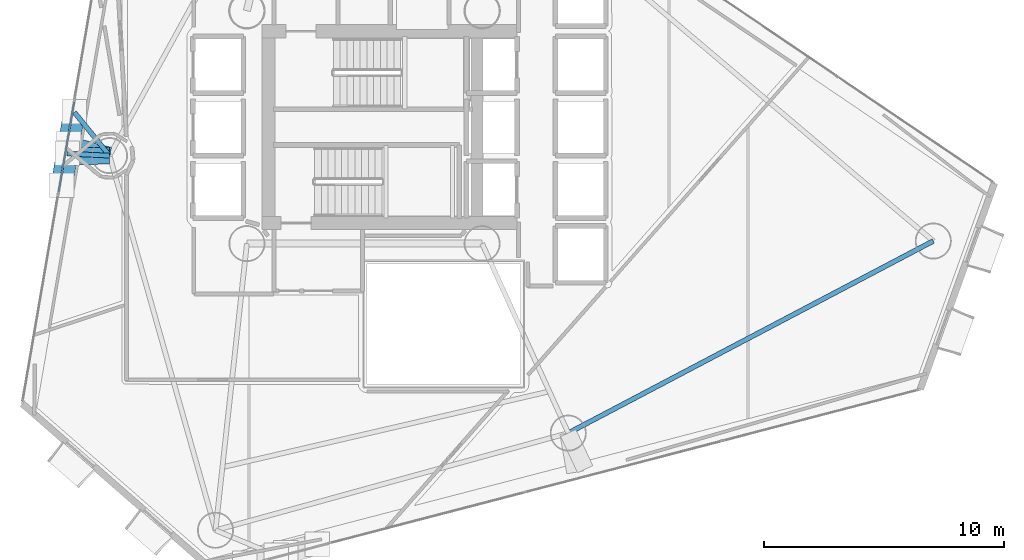
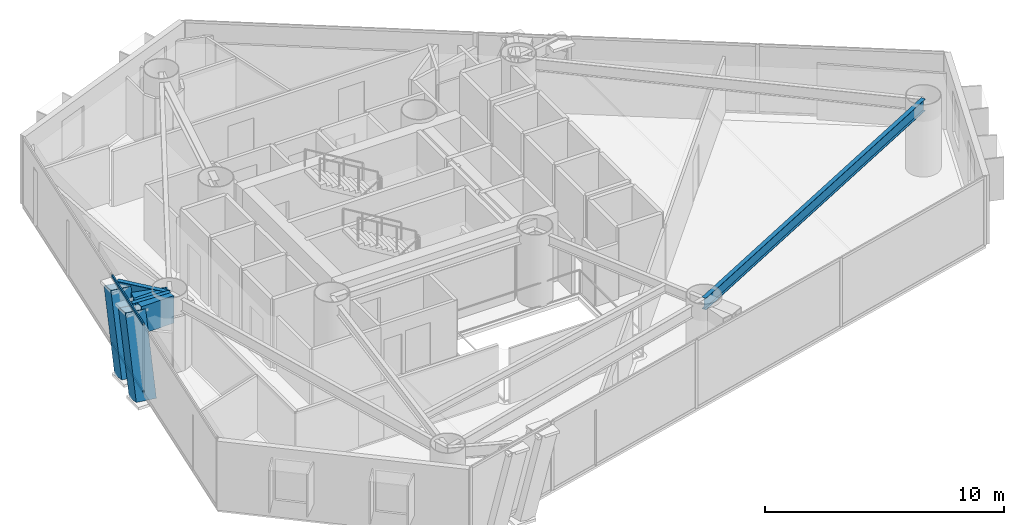
# One storey, part 7 of 21: 5 beams, 4 members, 1 element without a shape of its own.
"""IFC4 building model written with IfcOpenShell, lengths in metres."""

from ifc_helpers import new_model, si_unit, direction, frame, origin, origin_2d, place, context, subcontext, project, spatial, hollow_rectangle, i_section, extrude, material, layer, layer_set, material_profile, profile_set, type_object, element, aggregate, save


model = new_model("IFC4")

# Units and contexts
model_context = context("Model", 3, precision=1e-05, world=origin(), true_north=direction((0.0, 1.0)))
body_context = subcontext(model_context, "Body", "Model", "MODEL_VIEW")
ifc_project = project(units=[si_unit("LENGTHUNIT", "METRE"), si_unit("AREAUNIT", "SQUARE_METRE"), si_unit("VOLUMEUNIT", "CUBIC_METRE"), si_unit("PLANEANGLEUNIT", "RADIAN"), si_unit("MASSUNIT", "GRAM", prefix="KILO")], contexts=[model_context])

# Site, building, storey
site_placement = place(None, origin())
site = spatial("IfcSite", under=ifc_project, at=site_placement, CompositionType="ELEMENT")
building_placement = place(site_placement, origin())
building = spatial("IfcBuilding", under=site, at=building_placement, Name="Qianvela Tower", CompositionType="ELEMENT")
storey_placement = place(building_placement, frame((0.0, 0.0, 112.60009765625)))
storey = spatial("IfcBuildingStorey", under=building, at=storey_placement, Name="L28", CompositionType="ELEMENT", Elevation=112.60009765625)

# Beams
ifc_material_1 = material(Name="Steel Q355B", Category="steel")
ifc_material_profile_1 = material_profile(ifc_material_1, i_section(OverallWidth=0.199951171875, OverallDepth=0.60009765625, WebThickness=0.010986328125, FlangeThickness=0.01708984375, at=origin_2d()), Name="HN600x200x11x17")
ifc_profile_set_1 = profile_set([ifc_material_profile_1], Name="Steel Q355B")
beam_type_1 = type_object("IfcBeamType", Name="BM-HN600-GIRD", PredefinedType="BEAM", material=ifc_profile_set_1)
beam_1_placement = place(storey_placement, frame((22.8779296875, 27.51611328125, 3.218017578125), z_axis=(-0.630407069869, 0.776264726919, 0.0), x_axis=(-0.776264726919, -0.630407069869, 0.0)))
element("IfcBeam", 1, at=beam_1_placement, inside=storey, type_object=beam_type_1, Name="L28 Mega-Brace Column Tie Bracket F2-1", PredefinedType="BEAM", context=body_context, shape_type="SweptSolid", body=[
    extrude(i_section(OverallWidth=0.199951171875, OverallDepth=0.60009765625, WebThickness=0.010986328125, FlangeThickness=0.01708984375, at=origin_2d()), origin(), (0.0, 0.0, 1.0), 2.328369140625),
])
beam_2_placement = place(storey_placement, frame((22.8779296875, 27.51611328125, 3.218017578125), z_axis=(-0.998965974291, 0.045464076019, 0.0), x_axis=(-0.045464076019, -0.998965974291, 0.0)))
element("IfcBeam", 2, at=beam_2_placement, inside=storey, type_object=beam_type_1, Name="L28 Mega-Brace Column Tie Bracket F2-2", PredefinedType="BEAM", context=body_context, shape_type="SweptSolid", body=[
    extrude(i_section(OverallWidth=0.199951171875, OverallDepth=0.60009765625, WebThickness=0.010986328125, FlangeThickness=0.01708984375, at=origin_2d()), origin(), (0.0, 0.0, 1.0), 1.7666015625),
])
beam_3_placement = place(storey_placement, frame((41.988037109375, 15.95703125, 3.218017578125), z_axis=(0.884971229381, 0.465645705627, 0.0), x_axis=(-0.465645705627, 0.884971229381, 0.0)))
element("IfcBeam", 3, at=beam_3_placement, inside=storey, type_object=beam_type_1, Name="L28 Perimeter Ring Spandrel Girder 6", PredefinedType="BEAM", context=body_context, shape_type="SweptSolid", body=[
    extrude(i_section(OverallWidth=0.199951171875, OverallDepth=0.60009765625, WebThickness=0.010986328125, FlangeThickness=0.01708984375, at=origin_2d()), origin(), (0.0, 0.0, 1.0), 17.1826171875),
])
ifc_material_2 = material(Name="Steel Q420GJC", Category="steel")
ifc_material_profile_2 = material_profile(ifc_material_2, hollow_rectangle(XDim=0.699951171875, YDim=1.39990234375, WallThickness=0.0400390625, at=origin_2d()), Name="TG-BOX-1400x700x40")
ifc_profile_set_2 = profile_set([ifc_material_profile_2], Name="Steel Q420GJC")
beam_type_2 = type_object("IfcBeamType", Name="BM-TG-STEP-1400", PredefinedType="BEAM", material=ifc_profile_set_2)
for number, where, z_axis, x_axis, name in (
    (4, (22.8779296875, 27.51611328125, 2.81494140625), (-0.966268466798, 0.2575368907, 0.0), (-0.2575368907, -0.966268466798, 0.0), "L28 Mega-Brace Zone Base Bracket F2-1"),
    (5, (22.8779296875, 27.51611328125, 2.81494140625), (-0.999789547713, -0.020514879574, 0.0), (0.020514879574, -0.999789547713, 0.0), "L28 Mega-Brace Zone Base Bracket F2-2"),
):
    element("IfcBeam", number, at=place(storey_placement, frame(where, z_axis=z_axis, x_axis=x_axis)), inside=storey, type_object=beam_type_2, Name=name, PredefinedType="BEAM", context=body_context, shape_type="SweptSolid", body=[
        extrude(hollow_rectangle(XDim=0.699951171875, YDim=1.39990234375, WallThickness=0.0400390625, at=origin_2d()), origin(), (0.0, 0.0, 1.0), 1.57080078125),
    ])

# Curtain wall, members
ifc_material_3 = material(Name="Anodised Architectural Aluminium and Insulated Spandrel Panel", Category="aluminium")
ifc_layer = layer(ifc_material_3, 0.179931640625)
ifc_layer_set = layer_set([ifc_layer], Name="Anodised Architectural Aluminium and Insulated Spandrel Panel")
curtain_wall_type = type_object("IfcCurtainWallType", Name="CW-BRACEBAY", PredefinedType="USERDEFINED", material=ifc_layer_set)
curtain_wall_placement = place(storey_placement, origin())
curtain_wall = element("IfcCurtainWall", 6, at=curtain_wall_placement, inside=storey, type_object=curtain_wall_type, Name="L28 CW-BRACEBAY Curtain Wall 04B", ObjectType="CURTAIN_WALL_SYSTEM", PredefinedType="USERDEFINED")
ifc_material_4 = material(Name="Anodised Architectural Aluminium 6063-T6", Category="aluminium")
ifc_material_profile_3 = material_profile(ifc_material_4, hollow_rectangle(XDim=0.06494140625, YDim=0.1298828125, WallThickness=0.00439453125, at=origin_2d()), Name="ALU-TRAN-65x130")
ifc_profile_set_3 = profile_set([ifc_material_profile_3], Name="Anodised Architectural Aluminium 6063-T6")
member_type_1 = type_object("IfcMemberType", Name="CW-BRACEBAY-TRAN", PredefinedType="USERDEFINED", material=ifc_profile_set_3)
member_1_placement = place(storey_placement, frame((21.40185546875, 29.747314453125, 0.032470703125), z_axis=(-0.169539224762, -0.985523440242, 0.0), x_axis=(0.985523440242, -0.169539224762, 0.0)))
member_1 = element("IfcMember", 7, at=member_1_placement, type_object=member_type_1, Name="CW-9 transom 1.1", ObjectType="TRANSOM", PredefinedType="USERDEFINED", context=body_context, shape_type="SweptSolid", body=[
    extrude(hollow_rectangle(XDim=0.06494140625, YDim=0.1298828125, WallThickness=0.00439453125, at=origin_2d()), origin(), (0.0, 0.0, 1.0), 3.780029296875),
])
member_2_placement = place(storey_placement, frame((21.40185546875, 29.747314453125, 3.4873046875), z_axis=(-0.169539224762, -0.985523440242, 0.0), x_axis=(0.985523440242, -0.169539224762, 0.0)))
member_2 = element("IfcMember", 8, at=member_2_placement, type_object=member_type_1, Name="CW-9 transom 1.2", ObjectType="TRANSOM", PredefinedType="USERDEFINED", context=body_context, shape_type="SweptSolid", body=[
    extrude(hollow_rectangle(XDim=0.06494140625, YDim=0.1298828125, WallThickness=0.00439453125, at=origin_2d()), origin(), (0.0, 0.0, 1.0), 3.780029296875),
])
aggregate(curtain_wall, [member_1, member_2])

# Members
ifc_material_5 = material(Name="Steel Q420GJC", Category="steel")
ifc_material_profile_4 = material_profile(ifc_material_5, hollow_rectangle(XDim=0.89990234375, YDim=0.89990234375, WallThickness=0.035888671875, at=origin_2d()), Name="MBOX-900x900x36")
ifc_profile_set_4 = profile_set([ifc_material_profile_4], Name="Steel Q420GJC")
member_type_2 = type_object("IfcMemberType", Name="MBR-MBRACE-900", PredefinedType="BRACE", material=ifc_profile_set_4)
member_3_placement = place(storey_placement, frame((21.1875, 28.030029296875, -0.482177734375), z_axis=(0.056712197658, 0.329453095605, 0.942467179499), x_axis=(-0.985505188475, 0.169645287257, 0.0)))
element("IfcMember", 9, at=member_3_placement, inside=storey, type_object=member_type_2, Name="L28 Tier 4 Exterior Mega-Brace F2A", PredefinedType="BRACE", context=body_context, shape_type="SweptSolid", body=[
    extrude(hollow_rectangle(XDim=0.89990234375, YDim=0.89990234375, WallThickness=0.035888671875, at=origin_2d()), origin(), (0.0, 0.0, 1.0), 3.926025390625),
])
member_4_placement = place(storey_placement, frame((20.890380859375, 26.302734375, -0.482177734375), z_axis=(0.05671103573, 0.329508528872, 0.942447870085), x_axis=(-0.985510540414, 0.169614193783, 0.0)))
element("IfcMember", 10, at=member_4_placement, inside=storey, type_object=member_type_2, Name="L28 Tier 4 Exterior Mega-Brace F2B", PredefinedType="BRACE", context=body_context, shape_type="SweptSolid", body=[
    extrude(hollow_rectangle(XDim=0.89990234375, YDim=0.89990234375, WallThickness=0.035888671875, at=origin_2d()), origin(), (0.0, 0.0, 1.0), 3.92626953125),
])

save(model, "model.ifc")
